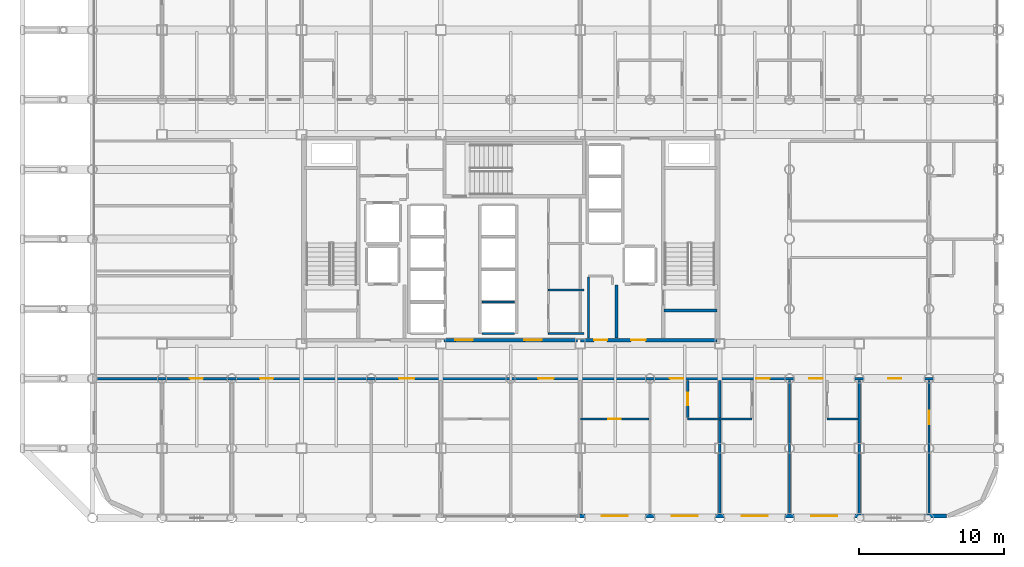
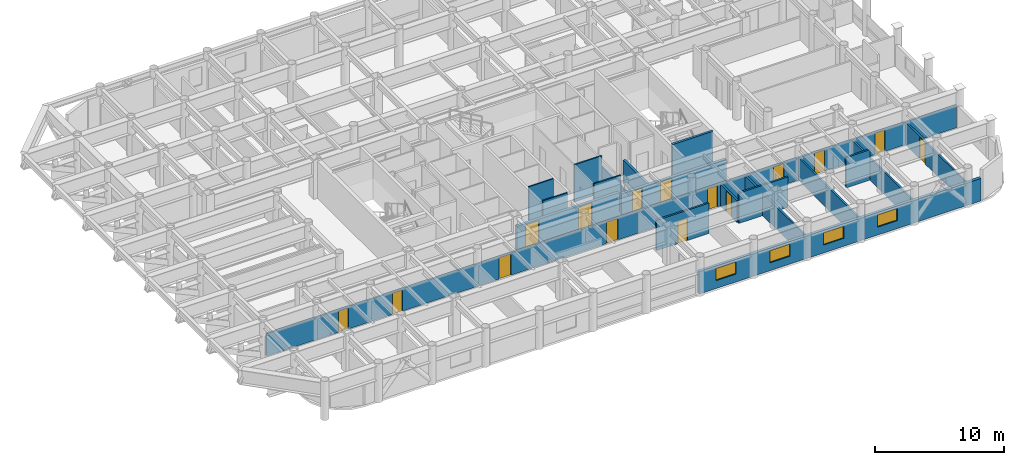
# One storey, part 19 of 23: 19 walls, 15 doors, 4 windows, 19 openings.
"""IFC4 building model written with IfcOpenShell, lengths in metres."""

import ifcopenshell
import ifcopenshell.guid

model = None  # the IFC model being written
_history = None  # IfcOwnerHistory: only IFC2X3 demands one
_inside = {}  # id of a spatial element -> (the spatial element, [elements in it])
_under = {}  # id of a project, library or spatial element -> (it, [spatial elements below it])
_declared = {}  # id of a project -> (the project, [libraries it declares])
_typed = {}  # id of a type object -> (the type object, [elements of that type])
_made_of = {}  # id of a material, layer set ... -> (it, [elements and type objects made of it])


def new_model(schema):
    """Start an empty IFC model of exactly this schema.

    Asked for "IFC4X3", IfcOpenShell would pick the latest addendum, in which some entities
    have other attributes; the version numbers below select the first issue.
    IFC2X3 requires an IfcOwnerHistory on every rooted entity: one is made here for all.
    """
    global model, _history
    if schema == "IFC4X3":
        model = ifcopenshell.file(schema_version=(4, 3, 0, 0))
    else:
        model = ifcopenshell.file(schema=schema)
    _inside.clear()
    _under.clear()
    _declared.clear()
    _typed.clear()
    _made_of.clear()
    _history = None
    if model.schema == "IFC2X3":
        org = make("IfcOrganization", Name="unknown")
        user = make(
            "IfcPersonAndOrganization",
            ThePerson=make("IfcPerson", FamilyName="unknown"),
            TheOrganization=org,
        )
        app = make(
            "IfcApplication",
            ApplicationDeveloper=org,
            Version="unknown",
            ApplicationFullName="unknown",
            ApplicationIdentifier="unknown",
        )
        _history = make(
            "IfcOwnerHistory",
            OwningUser=user,
            OwningApplication=app,
            ChangeAction="ADDED",
            CreationDate=0,
        )
    return model


def make(cls, **values):
    """One entity of the class cls with the attributes given. An attribute that is None is left unset."""
    return model.create_entity(
        cls, **{name: value for name, value in values.items() if value is not None}
    )


def rooted(cls, **values):
    """An entity with a GlobalId (a new one), such as an element, a storey or a relation."""
    return make(cls, GlobalId=ifcopenshell.guid.new(), OwnerHistory=_history, **values)


def si_unit(unit_type, name, prefix=None):
    """IfcSIUnit, for example si_unit("LENGTHUNIT", "METRE", prefix="MILLI")."""
    return make("IfcSIUnit", UnitType=unit_type, Prefix=prefix, Name=name)


def assignment(units):
    """IfcUnitAssignment: the units of a project."""
    return None if units is None else make("IfcUnitAssignment", Units=units)


def point(xyz):
    """IfcCartesianPoint."""
    return None if xyz is None else make("IfcCartesianPoint", Coordinates=xyz)


def direction(xyz):
    """IfcDirection."""
    return None if xyz is None else make("IfcDirection", DirectionRatios=xyz)


def frame(location, z_axis=None, x_axis=None):
    """IfcAxis2Placement3D, a coordinate frame: its origin and axes. An axis left out is left unset."""
    return make(
        "IfcAxis2Placement3D",
        Location=point(location),
        Axis=direction(z_axis),
        RefDirection=direction(x_axis),
    )


def frame_2d(location, x_axis=None):
    """IfcAxis2Placement2D, a coordinate frame in the plane: its origin and x axis."""
    return make(
        "IfcAxis2Placement2D", Location=point(location), RefDirection=direction(x_axis)
    )


def origin():
    """The frame at (0, 0, 0) with its axes left unset."""
    return frame((0.0, 0.0, 0.0))


def place(relative_to, where):
    """IfcLocalPlacement: puts the frame where relative to a parent placement (None: the world)."""
    return make(
        "IfcLocalPlacement", PlacementRelTo=relative_to, RelativePlacement=where
    )


def context(
    kind, dimensions, precision=None, world=None, true_north=None, identifier=None
):
    """IfcGeometricRepresentationContext, for example the 3D "Model" context."""
    return make(
        "IfcGeometricRepresentationContext",
        ContextIdentifier=identifier,
        ContextType=kind,
        CoordinateSpaceDimension=dimensions,
        Precision=precision,
        WorldCoordinateSystem=world,
        TrueNorth=true_north,
    )


def subcontext(parent, identifier, kind, view, scale=None):
    """IfcGeometricRepresentationSubContext, for example "Body" below "Model"."""
    return make(
        "IfcGeometricRepresentationSubContext",
        ContextIdentifier=identifier,
        ContextType=kind,
        ParentContext=parent,
        TargetScale=scale,
        TargetView=view,
    )


def project(units=None, contexts=None):
    """IfcProject with its units and contexts."""
    return rooted(
        "IfcProject",
        Name="project",
        RepresentationContexts=contexts,
        UnitsInContext=assignment(units),
    )


def spatial(cls, under=None, at=None, **own):
    """A site, building, storey or space (cls), placed at a placement, below another one or the project."""
    s = rooted(cls, ObjectPlacement=at, **own)
    if under is not None:
        _under.setdefault(under.id(), (under, []))[1].append(s)
    return s


def profile(cls, at=None, kind="AREA", **sizes):
    """A parametric profile (cls). Its sizes go by their IFC names, for example OverallWidth=200.0."""
    return make(cls, ProfileType=kind, Position=at, **sizes)


def rectangle(**sizes):
    """IfcRectangleProfileDef."""
    return profile("IfcRectangleProfileDef", **sizes)


def extrude(swept, where, along, depth):
    """IfcExtrudedAreaSolid: the profile swept, set in the frame where, extruded along a direction by depth."""
    return make(
        "IfcExtrudedAreaSolid",
        SweptArea=swept,
        Position=where,
        ExtrudedDirection=direction(along),
        Depth=depth,
    )


def shape(context_of_items, identifier, shape_type, items):
    """IfcShapeRepresentation: the items that make up one representation, for example the "Body"."""
    return make(
        "IfcShapeRepresentation",
        ContextOfItems=context_of_items,
        RepresentationIdentifier=identifier,
        RepresentationType=shape_type,
        Items=items,
    )


def material(Name=None, Category=None):
    """IfcMaterial."""
    return make("IfcMaterial", Name=Name, Category=Category)


def layer(
    of_material, thickness, ventilated=None, Name=None, Category=None, Priority=None
):
    """IfcMaterialLayer: one layer of a wall or slab, of a material (None: an air gap)."""
    return make(
        "IfcMaterialLayer",
        Material=of_material,
        LayerThickness=thickness,
        IsVentilated=ventilated,
        Name=Name,
        Category=Category,
        Priority=Priority,
    )


def layer_set(layers, Name=None):
    """IfcMaterialLayerSet."""
    return make("IfcMaterialLayerSet", MaterialLayers=layers, LayerSetName=Name)


def made_of(thing, what):
    """Note that an element or type object is made of a material, layer set ...; save() writes the relation."""
    if what is not None:
        _made_of.setdefault(what.id(), (what, []))[1].append(thing)
    return thing


def type_object(cls, material=None, **own):
    """A type object (cls), such as IfcWallType, which elements share."""
    return made_of(rooted(cls, **own), material)


def element(
    cls,
    number,
    at=None,
    inside=None,
    cuts=None,
    type_object=None,
    material=None,
    context=None,
    identifier="Body",
    shape_type=None,
    held_by="IfcProductDefinitionShape",
    body=None,
    shapes=None,
    **own,
):
    """One element of the class cls, such as IfcWall. Its Tag is "e" and its number.

    at: its placement. inside: the storey or other place that contains it. cuts: it is an
    opening in that element (IfcRelVoidsElement). A single representation is given by context,
    identifier, shape_type and body (its items); several are given by shapes. held_by: the class
    of the entity that holds the representations. save() writes the other relations.
    """
    e = rooted(cls, Tag="e%d" % number, ObjectPlacement=at, **own)
    if body is not None:
        shapes = [shape(context, identifier, shape_type, body)]
    if shapes is not None:
        e.Representation = make(held_by, Representations=shapes)
    if inside is not None:
        _inside.setdefault(inside.id(), (inside, []))[1].append(e)
    if cuts is not None:
        rooted(
            "IfcRelVoidsElement", RelatingBuildingElement=cuts, RelatedOpeningElement=e
        )
    if type_object is not None:
        _typed.setdefault(type_object.id(), (type_object, []))[1].append(e)
    return made_of(e, material)


def fill(opening, filler):
    """IfcRelFillsElement: the door or window that sits in an opening."""
    return rooted(
        "IfcRelFillsElement",
        RelatingOpeningElement=opening,
        RelatedBuildingElement=filler,
    )


def aggregate(whole, parts):
    """IfcRelAggregates: a whole, such as a stair, and the parts it consists of."""
    return rooted("IfcRelAggregates", RelatingObject=whole, RelatedObjects=parts)


def save(model, path):
    """Write the relations noted so far, then the file.

    IfcRelAggregates (storeys below a building ...), IfcRelContainedInSpatialStructure (elements
    in a storey), IfcRelDefinesByType, IfcRelAssociatesMaterial and IfcRelDeclares: one each for
    every whole, place, type object, material and project.
    """
    for whole, parts in _under.values():
        aggregate(whole, parts)
    for where, things in _inside.values():
        rooted(
            "IfcRelContainedInSpatialStructure",
            RelatedElements=things,
            RelatingStructure=where,
        )
    for kind, things in _typed.values():
        rooted("IfcRelDefinesByType", RelatedObjects=things, RelatingType=kind)
    for what, things in _made_of.values():
        rooted("IfcRelAssociatesMaterial", RelatedObjects=things, RelatingMaterial=what)
    for by, libraries in _declared.values():
        rooted("IfcRelDeclares", RelatingContext=by, RelatedDefinitions=libraries)
    model.write(path)


model = new_model("IFC4")

# Units and contexts
model_context = context("Model", 3, precision=1e-05, world=origin(), true_north=direction((0.0, 1.0)))
body_context = subcontext(model_context, "Body", "Model", "MODEL_VIEW")
ifc_project = project(units=[si_unit("LENGTHUNIT", "METRE"), si_unit("AREAUNIT", "SQUARE_METRE"), si_unit("VOLUMEUNIT", "CUBIC_METRE"), si_unit("PLANEANGLEUNIT", "RADIAN"), si_unit("MASSUNIT", "GRAM", prefix="KILO")], contexts=[model_context])

# Site, building, storey
site_placement = place(None, origin())
site = spatial("IfcSite", under=ifc_project, at=site_placement, CompositionType="ELEMENT")
building_placement = place(site_placement, origin())
building = spatial("IfcBuilding", under=site, at=building_placement, Name="Kallvorn Hotel Tower", CompositionType="ELEMENT")
storey_placement = place(building_placement, frame((0.0, 0.0, 121.10009765625)))
storey = spatial("IfcBuildingStorey", under=building, at=storey_placement, Name="L29", CompositionType="ELEMENT", Elevation=121.10009765625)

# Wall, opening, door
ifc_material_1 = material(Name="Fire-rated double-layer acoustic gypsum drywall EI 60")
ifc_layer_1 = layer(ifc_material_1, 0.159912109375)
ifc_layer_set_1 = layer_set([ifc_layer_1], Name="WL_DEMISE_160")
wall_type_1 = type_object("IfcWallType", Name="WL_DEMISE_160", PredefinedType="PARTITIONING", material=ifc_layer_set_1)
wall_1_placement = place(storey_placement, frame((4.800048828125, -12.3798828125, 0.0), z_axis=(0.0, 0.0, 1.0), x_axis=(1.0, 0.0, 0.0)))
wall_1 = element("IfcWall", 1, at=wall_1_placement, inside=storey, type_object=wall_type_1, Name="L29 Suite 2904 Executive Bedroom Partition", PredefinedType="PARTITIONING", context=body_context, shape_type="SweptSolid", body=[
    extrude(rectangle(XDim=4.719970703125, YDim=0.159912109375, at=frame_2d((2.35986328125, 0.0))), origin(), (0.0, 0.0, 1.0), 2.869873046875),
])
opening_1_placement = place(wall_1_placement, frame((1.929931640625, 0.0, 0.0)))
opening_1 = element("IfcOpeningElement", 2, at=opening_1_placement, cuts=wall_1, Name="Opening BD-I", PredefinedType="OPENING", context=body_context, shape_type="SweptSolid", body=[
    extrude(rectangle(XDim=0.860107421875, YDim=2.10009765625, at=frame_2d((0.43017578125, 1.050048828125))), frame((0.0, 0.094970703125, 0.0), z_axis=(0.0, -1.0, 0.0), x_axis=(1.0, 0.0, 0.0)), (0.0, 0.0, 1.0), 0.18994140625),
])
ifc_material_2 = material(Name="Solid-core walnut veneer fire-rated timber door leaf", Category="wood")
door_type_1 = type_object("IfcDoorType", Name="DR_BATH_860x2100", OperationType="NOTDEFINED", PredefinedType="DOOR", material=ifc_material_2)
door_1_placement = place(opening_1_placement, origin())
door_1 = element("IfcDoor", 3, at=door_1_placement, inside=storey, type_object=door_type_1, Name="L29 Suite 2904 En-Suite Bathroom Door", OperationType="SINGLE_SWING_LEFT", OverallHeight=2.10009765625, OverallWidth=0.860107421875, PredefinedType="DOOR", context=body_context, shape_type="SweptSolid", body=[
    extrude(rectangle(XDim=0.860107421875, YDim=2.10009765625, at=frame_2d((0.43017578125, 1.050048828125))), frame((0.0, 0.02490234375, 0.0), z_axis=(0.0, -1.0, 0.0), x_axis=(1.0, 0.0, 0.0)), (0.0, 0.0, 1.0), 0.050048828125),
])
fill(opening_1, door_1)

# Walls
wall_2_placement = place(storey_placement, frame((12.18994140625, -12.3798828125, 0.0), z_axis=(0.0, 0.0, 1.0), x_axis=(1.0, 0.0, 0.0)))
element("IfcWall", 4, at=wall_2_placement, inside=storey, type_object=wall_type_1, Name="L29 Suite 2905 Deluxe King Room Partition", PredefinedType="PARTITIONING", context=body_context, shape_type="SweptSolid", body=[
    extrude(rectangle(XDim=4.420166015625, YDim=0.159912109375, at=frame_2d((2.2099609375, 0.0))), origin(), (0.0, 0.0, 1.0), 2.869873046875),
])
wall_3_placement = place(storey_placement, frame((21.7900390625, -12.3798828125, 0.0), z_axis=(0.0, 0.0, 1.0), x_axis=(1.0, 0.0, 0.0)))
element("IfcWall", 5, at=wall_3_placement, inside=storey, type_object=wall_type_1, Name="L29 Suite 2907 Deluxe King Room Partition", PredefinedType="PARTITIONING", context=body_context, shape_type="SweptSolid", body=[
    extrude(rectangle(XDim=2.1298828125, YDim=0.159912109375, at=frame_2d((1.06494140625, 0.0))), origin(), (0.0, 0.0, 1.0), 2.869873046875),
])

# Wall, openings, doors
wall_4_placement = place(storey_placement, frame((-28.510009765625, -9.60009765625, 0.0), z_axis=(0.0, 0.0, 1.0), x_axis=(1.0, 0.0, 0.0)))
wall_4 = element("IfcWall", 6, at=wall_4_placement, inside=storey, type_object=wall_type_1, Name="L29 Suite 2903 Executive Living Salon Partition", PredefinedType="PARTITIONING", context=body_context, shape_type="SweptSolid", body=[
    extrude(rectangle(XDim=61.820068359375, YDim=0.159912109375, at=frame_2d((30.91015625, 0.0))), origin(), (0.0, 0.0, 1.0), 2.119873046875),
])
opening_2_placement = place(wall_4_placement, frame((6.419921875, 0.0, 0.0)))
opening_2 = element("IfcOpeningElement", 7, at=opening_2_placement, cuts=wall_4, Name="Opening SVD1A", PredefinedType="OPENING", context=body_context, shape_type="SweptSolid", body=[
    extrude(rectangle(XDim=0.89990234375, YDim=2.02001953125, at=frame_2d((0.449951171875, 1.010009765625))), frame((0.0, 0.094970703125, 0.0), z_axis=(0.0, -1.0, 0.0), x_axis=(1.0, 0.0, 0.0)), (0.0, 0.0, 1.0), 0.18994140625),
])
opening_3_placement = place(wall_4_placement, frame((54.5, 0.0, 0.0)))
opening_3 = element("IfcOpeningElement", 8, at=opening_3_placement, cuts=wall_4, Name="Opening SVD1A", PredefinedType="OPENING", context=body_context, shape_type="SweptSolid", body=[
    extrude(rectangle(XDim=0.89990234375, YDim=2.02001953125, at=frame_2d((0.449951171875, 1.010009765625))), frame((0.0, 0.094970703125, 0.0), z_axis=(0.0, -1.0, 0.0), x_axis=(1.0, 0.0, 0.0)), (0.0, 0.0, 1.0), 0.18994140625),
])
opening_4_placement = place(wall_4_placement, frame((11.260009765625, 0.0, 0.0)))
opening_4 = element("IfcOpeningElement", 9, at=opening_4_placement, cuts=wall_4, Name="Opening SVD1A", PredefinedType="OPENING", context=body_context, shape_type="SweptSolid", body=[
    extrude(rectangle(XDim=0.89990234375, YDim=2.02001953125, at=frame_2d((0.449951171875, 1.010009765625))), frame((0.0, 0.094970703125, 0.0), z_axis=(0.0, -1.0, 0.0), x_axis=(1.0, 0.0, 0.0)), (0.0, 0.0, 1.0), 0.18994140625),
])
opening_5_placement = place(wall_4_placement, frame((20.824951171875, 0.0, 0.0)))
opening_5 = element("IfcOpeningElement", 10, at=opening_5_placement, cuts=wall_4, Name="Opening GD2A", PredefinedType="OPENING", context=body_context, shape_type="SweptSolid", body=[
    extrude(rectangle(XDim=1.050048828125, YDim=2.02001953125, at=frame_2d((0.52490234375, 1.010009765625))), frame((0.0, 0.094970703125, 0.0), z_axis=(0.0, -1.0, 0.0), x_axis=(1.0, 0.0, 0.0)), (0.0, 0.0, 1.0), 0.18994140625),
])
opening_6_placement = place(wall_4_placement, frame((30.425048828125, 0.0, 0.0)))
opening_6 = element("IfcOpeningElement", 11, at=opening_6_placement, cuts=wall_4, Name="Opening GD2A", PredefinedType="OPENING", context=body_context, shape_type="SweptSolid", body=[
    extrude(rectangle(XDim=1.050048828125, YDim=2.02001953125, at=frame_2d((0.52490234375, 1.010009765625))), frame((0.0, 0.094970703125, 0.0), z_axis=(0.0, -1.0, 0.0), x_axis=(1.0, 0.0, 0.0)), (0.0, 0.0, 1.0), 0.18994140625),
])
opening_7_placement = place(wall_4_placement, frame((39.47998046875, 0.0, 0.0)))
opening_7 = element("IfcOpeningElement", 12, at=opening_7_placement, cuts=wall_4, Name="Opening GD1A", PredefinedType="OPENING", context=body_context, shape_type="SweptSolid", body=[
    extrude(rectangle(XDim=0.919921875, YDim=2.02001953125, at=frame_2d((0.4599609375, 1.010009765625))), frame((0.0, 0.094970703125, 0.0), z_axis=(0.0, -1.0, 0.0), x_axis=(1.0, 0.0, 0.0)), (0.0, 0.0, 1.0), 0.18994140625),
])
opening_8_placement = place(wall_4_placement, frame((45.419921875, 0.0, 0.0)))
opening_8 = element("IfcOpeningElement", 13, at=opening_8_placement, cuts=wall_4, Name="Opening GD1A", PredefinedType="OPENING", context=body_context, shape_type="SweptSolid", body=[
    extrude(rectangle(XDim=0.919921875, YDim=2.02001953125, at=frame_2d((0.4599609375, 1.010009765625))), frame((0.0, 0.094970703125, 0.0), z_axis=(0.0, -1.0, 0.0), x_axis=(1.0, 0.0, 0.0)), (0.0, 0.0, 1.0), 0.18994140625),
])
opening_9_placement = place(wall_4_placement, frame((49.080078125, 0.0, 0.0)))
opening_9 = element("IfcOpeningElement", 14, at=opening_9_placement, cuts=wall_4, Name="Opening GD1A", PredefinedType="OPENING", context=body_context, shape_type="SweptSolid", body=[
    extrude(rectangle(XDim=0.919921875, YDim=2.02001953125, at=frame_2d((0.4599609375, 1.010009765625))), frame((0.0, 0.094970703125, 0.0), z_axis=(0.0, -1.0, 0.0), x_axis=(1.0, 0.0, 0.0)), (0.0, 0.0, 1.0), 0.18994140625),
])
ifc_material_3 = material(Name="Solid-core walnut veneer fire-rated timber door leaf", Category="wood")
door_type_2 = type_object("IfcDoorType", Name="DR_GUEST_920x2020", OperationType="NOTDEFINED", PredefinedType="DOOR", material=ifc_material_3)
door_2_placement = place(opening_7_placement, origin())
door_2 = element("IfcDoor", 15, at=door_2_placement, inside=storey, type_object=door_type_2, Name="L29 Suite 2905 Deluxe King Room Door", OperationType="SINGLE_SWING_RIGHT", OverallHeight=2.02001953125, OverallWidth=0.919921875, PredefinedType="DOOR", context=body_context, shape_type="SweptSolid", body=[
    extrude(rectangle(XDim=0.919921875, YDim=2.02001953125, at=frame_2d((0.4599609375, 1.010009765625))), frame((0.0, 0.02490234375, 0.0), z_axis=(0.0, -1.0, 0.0), x_axis=(1.0, 0.0, 0.0)), (0.0, 0.0, 1.0), 0.050048828125),
])
fill(opening_7, door_2)
door_3_placement = place(opening_8_placement, origin())
door_3 = element("IfcDoor", 16, at=door_3_placement, inside=storey, type_object=door_type_2, Name="L29 Suite 2906 Deluxe King Room Door", OperationType="SINGLE_SWING_RIGHT", OverallHeight=2.02001953125, OverallWidth=0.919921875, PredefinedType="DOOR", context=body_context, shape_type="SweptSolid", body=[
    extrude(rectangle(XDim=0.919921875, YDim=2.02001953125, at=frame_2d((0.4599609375, 1.010009765625))), frame((0.0, 0.02490234375, 0.0), z_axis=(0.0, -1.0, 0.0), x_axis=(1.0, 0.0, 0.0)), (0.0, 0.0, 1.0), 0.050048828125),
])
fill(opening_8, door_3)
door_4_placement = place(opening_9_placement, origin())
door_4 = element("IfcDoor", 17, at=door_4_placement, inside=storey, type_object=door_type_2, Name="L29 Suite 2907 Deluxe King Room Door", OperationType="SINGLE_SWING_LEFT", OverallHeight=2.02001953125, OverallWidth=0.919921875, PredefinedType="DOOR", context=body_context, shape_type="SweptSolid", body=[
    extrude(rectangle(XDim=0.919921875, YDim=2.02001953125, at=frame_2d((0.4599609375, 1.010009765625))), frame((0.0, 0.02490234375, 0.0), z_axis=(0.0, -1.0, 0.0), x_axis=(1.0, 0.0, 0.0)), (0.0, 0.0, 1.0), 0.050048828125),
])
fill(opening_9, door_4)
ifc_material_4 = material(Name="Galvanised painted steel fire-rated door assembly", Category="steel")
door_type_3 = type_object("IfcDoorType", Name="DR_SERV_900x2020", OperationType="NOTDEFINED", PredefinedType="DOOR", material=ifc_material_4)
door_5_placement = place(opening_2_placement, origin())
door_5 = element("IfcDoor", 18, at=door_5_placement, inside=storey, type_object=door_type_3, Name="L29 L29 South-West Botanical Bar B Door", OperationType="SINGLE_SWING_RIGHT", OverallHeight=2.02001953125, OverallWidth=0.89990234375, PredefinedType="DOOR", context=body_context, shape_type="SweptSolid", body=[
    extrude(rectangle(XDim=0.89990234375, YDim=2.02001953125, at=frame_2d((0.449951171875, 1.010009765625))), frame((0.0, 0.02490234375, 0.0), z_axis=(0.0, -1.0, 0.0), x_axis=(1.0, 0.0, 0.0)), (0.0, 0.0, 1.0), 0.050048828125),
])
fill(opening_2, door_5)
door_6_placement = place(opening_3_placement, origin())
door_6 = element("IfcDoor", 19, at=door_6_placement, inside=storey, type_object=door_type_3, Name="L29 L29 South-East Sommelier Bar A Door", OperationType="SINGLE_SWING_RIGHT", OverallHeight=2.02001953125, OverallWidth=0.89990234375, PredefinedType="DOOR", context=body_context, shape_type="SweptSolid", body=[
    extrude(rectangle(XDim=0.89990234375, YDim=2.02001953125, at=frame_2d((0.449951171875, 1.010009765625))), frame((0.0, 0.02490234375, 0.0), z_axis=(0.0, -1.0, 0.0), x_axis=(1.0, 0.0, 0.0)), (0.0, 0.0, 1.0), 0.050048828125),
])
fill(opening_3, door_6)
door_7_placement = place(opening_4_placement, origin())
door_7 = element("IfcDoor", 20, at=door_7_placement, inside=storey, type_object=door_type_3, Name="L29 L29 Cordillera Botanical Tea Salon 1 Door", OperationType="SINGLE_SWING_LEFT", OverallHeight=2.02001953125, OverallWidth=0.89990234375, PredefinedType="DOOR", context=body_context, shape_type="SweptSolid", body=[
    extrude(rectangle(XDim=0.89990234375, YDim=2.02001953125, at=frame_2d((0.449951171875, 1.010009765625))), frame((0.0, 0.02490234375, 0.0), z_axis=(0.0, -1.0, 0.0), x_axis=(1.0, 0.0, 0.0)), (0.0, 0.0, 1.0), 0.050048828125),
])
fill(opening_4, door_7)
ifc_material_5 = material(Name="Solid-core walnut veneer fire-rated timber door leaf", Category="wood")
door_type_4 = type_object("IfcDoorType", Name="DR_SUITE_1050x2020", OperationType="NOTDEFINED", PredefinedType="DOOR", material=ifc_material_5)
door_8_placement = place(opening_5_placement, origin())
door_8 = element("IfcDoor", 21, at=door_8_placement, inside=storey, type_object=door_type_4, Name="L29 Suite 2903 Executive Living Salon Door", OperationType="SINGLE_SWING_RIGHT", OverallHeight=2.02001953125, OverallWidth=1.050048828125, PredefinedType="DOOR", context=body_context, shape_type="SweptSolid", body=[
    extrude(rectangle(XDim=1.050048828125, YDim=2.02001953125, at=frame_2d((0.52490234375, 1.010009765625))), frame((0.0, 0.02490234375, 0.0), z_axis=(0.0, -1.0, 0.0), x_axis=(1.0, 0.0, 0.0)), (0.0, 0.0, 1.0), 0.050048828125),
])
fill(opening_5, door_8)
door_9_placement = place(opening_6_placement, origin())
door_9 = element("IfcDoor", 22, at=door_9_placement, inside=storey, type_object=door_type_4, Name="L29 Suite 2904 Executive Living Salon Door", OperationType="SINGLE_SWING_RIGHT", OverallHeight=2.02001953125, OverallWidth=1.050048828125, PredefinedType="DOOR", context=body_context, shape_type="SweptSolid", body=[
    extrude(rectangle(XDim=1.050048828125, YDim=2.02001953125, at=frame_2d((0.52490234375, 1.010009765625))), frame((0.0, 0.02490234375, 0.0), z_axis=(0.0, -1.0, 0.0), x_axis=(1.0, 0.0, 0.0)), (0.0, 0.0, 1.0), 0.050048828125),
])
fill(opening_6, door_9)

# Wall, opening, door
wall_5_placement = place(storey_placement, frame((12.18994140625, -12.294921875, 0.0), z_axis=(0.0, 0.0, 1.0), x_axis=(0.0, 1.0, 0.0)))
wall_5 = element("IfcWall", 23, at=wall_5_placement, inside=storey, type_object=wall_type_1, Name="L29 Suite 2905 Deluxe King Room Partition", PredefinedType="PARTITIONING", context=body_context, shape_type="SweptSolid", body=[
    extrude(rectangle(XDim=2.574951171875, YDim=0.159912109375, at=frame_2d((1.28759765625, 0.0))), origin(), (0.0, 0.0, 1.0), 2.119873046875),
])
opening_10_placement = place(wall_5_placement, frame((0.844970703125, 0.0, 0.0)))
opening_10 = element("IfcOpeningElement", 24, at=opening_10_placement, cuts=wall_5, Name="Opening BD-IA", PredefinedType="OPENING", context=body_context, shape_type="SweptSolid", body=[
    extrude(rectangle(XDim=0.860107421875, YDim=2.02001953125, at=frame_2d((0.43017578125, 1.010009765625))), frame((0.0, 0.094970703125, 0.0), z_axis=(0.0, -1.0, 0.0), x_axis=(1.0, 0.0, 0.0)), (0.0, 0.0, 1.0), 0.18994140625),
])
ifc_material_6 = material(Name="Solid-core walnut veneer fire-rated timber door leaf", Category="wood")
door_type_5 = type_object("IfcDoorType", Name="DR_BATH_860x2020", OperationType="NOTDEFINED", PredefinedType="DOOR", material=ifc_material_6)
door_10_placement = place(opening_10_placement, origin())
door_10 = element("IfcDoor", 25, at=door_10_placement, inside=storey, type_object=door_type_5, Name="L29 Suite 2905 En-Suite Bathroom Door", OperationType="SINGLE_SWING_LEFT", OverallHeight=2.02001953125, OverallWidth=0.860107421875, PredefinedType="DOOR", context=body_context, shape_type="SweptSolid", body=[
    extrude(rectangle(XDim=0.860107421875, YDim=2.02001953125, at=frame_2d((0.43017578125, 1.010009765625))), frame((0.0, 0.02490234375, 0.0), z_axis=(0.0, -1.0, 0.0), x_axis=(1.0, 0.0, 0.0)), (0.0, 0.0, 1.0), 0.050048828125),
])
fill(opening_10, door_10)

# Walls
for number, where, z_axis, x_axis, name in (
    (26, (14.39990234375, -18.909912109375, 0.0), (0.0, 0.0, 1.0), (0.0, 1.0, 0.0), "L29 Suite 2905 Deluxe King Room Partition"),
    (27, (19.199951171875, -18.909912109375, 0.0), (0.0, 0.0, 1.0), (0.0, 1.0, 0.0), "L29 Suite 2906 Deluxe King Room Partition"),
    (28, (24.0, -18.909912109375, 0.0), (0.0, 0.0, 1.0), (0.0, 1.0, 0.0), "L29 Suite 2907 Deluxe King Room Partition"),
):
    element("IfcWall", number, at=place(storey_placement, frame(where, z_axis=z_axis, x_axis=x_axis)), inside=storey, type_object=wall_type_1, Name=name, PredefinedType="PARTITIONING", context=body_context, shape_type="SweptSolid", body=[
        extrude(rectangle(XDim=9.18994140625, YDim=0.159912109375, at=frame_2d((4.594970703125, 0.0))), origin(), (0.0, 0.0, 1.0), 2.119873046875),
    ])

# Wall, openings, windows
ifc_material_7 = material(Name="Precast basalt-clad insulated concrete wall C40/50", Category="masonry")
ifc_layer_2 = layer(ifc_material_7, 0.280029296875)
ifc_layer_set_2 = layer_set([ifc_layer_2], Name="WL_EXT_LOGGIA_280")
wall_type_2 = type_object("IfcWallType", Name="WL_EXT_LOGGIA_280", PredefinedType="SOLIDWALL", material=ifc_layer_set_2)
wall_6_placement = place(storey_placement, frame((4.75, -19.06005859375, 0.0), z_axis=(0.0, 0.0, 1.0), x_axis=(1.0, 0.0, 0.0)))
wall_6 = element("IfcWall", 29, at=wall_6_placement, inside=storey, type_object=wall_type_2, Name="L29 Exterior Envelope Wall EW-L29-SE", PredefinedType="SOLIDWALL", context=body_context, shape_type="SweptSolid", body=[
    extrude(rectangle(XDim=25.25, YDim=0.280029296875, at=frame_2d((12.625, 0.0))), origin(), (0.0, 0.0, 1.0), 2.119873046875),
])
opening_11_placement = place(wall_6_placement, frame((1.510009765625, 0.0, 0.75)))
opening_11 = element("IfcOpeningElement", 30, at=opening_11_placement, cuts=wall_6, Name="Opening W04A", PredefinedType="OPENING", context=body_context, shape_type="SweptSolid", body=[
    extrude(rectangle(XDim=1.800048828125, YDim=1.14990234375, at=frame_2d((0.89990234375, 0.574951171875))), frame((0.0, 0.155029296875, 0.0), z_axis=(0.0, -1.0, 0.0), x_axis=(1.0, 0.0, 0.0)), (0.0, 0.0, 1.0), 0.31005859375),
])
opening_12_placement = place(wall_6_placement, frame((6.35009765625, 0.0, 0.75)))
opening_12 = element("IfcOpeningElement", 31, at=opening_12_placement, cuts=wall_6, Name="Opening W04A", PredefinedType="OPENING", context=body_context, shape_type="SweptSolid", body=[
    extrude(rectangle(XDim=1.800048828125, YDim=1.14990234375, at=frame_2d((0.89990234375, 0.574951171875))), frame((0.0, 0.155029296875, 0.0), z_axis=(0.0, -1.0, 0.0), x_axis=(1.0, 0.0, 0.0)), (0.0, 0.0, 1.0), 0.31005859375),
])
opening_13_placement = place(wall_6_placement, frame((11.14990234375, 0.0, 0.75)))
opening_13 = element("IfcOpeningElement", 32, at=opening_13_placement, cuts=wall_6, Name="Opening W04A", PredefinedType="OPENING", context=body_context, shape_type="SweptSolid", body=[
    extrude(rectangle(XDim=1.800048828125, YDim=1.14990234375, at=frame_2d((0.89990234375, 0.574951171875))), frame((0.0, 0.155029296875, 0.0), z_axis=(0.0, -1.0, 0.0), x_axis=(1.0, 0.0, 0.0)), (0.0, 0.0, 1.0), 0.31005859375),
])
opening_14_placement = place(wall_6_placement, frame((15.949951171875, 0.0, 0.75)))
opening_14 = element("IfcOpeningElement", 33, at=opening_14_placement, cuts=wall_6, Name="Opening W04A", PredefinedType="OPENING", context=body_context, shape_type="SweptSolid", body=[
    extrude(rectangle(XDim=1.800048828125, YDim=1.14990234375, at=frame_2d((0.89990234375, 0.574951171875))), frame((0.0, 0.155029296875, 0.0), z_axis=(0.0, -1.0, 0.0), x_axis=(1.0, 0.0, 0.0)), (0.0, 0.0, 1.0), 0.31005859375),
])
ifc_material_8 = material(Name="Double-glazed low-e solar-control dark glass", Category="glass")
window_type = type_object("IfcWindowType", Name="WN_HTL_1800x1150", PartitioningType="SINGLE_PANEL", PredefinedType="WINDOW", material=ifc_material_8)
window_1_placement = place(opening_11_placement, origin())
window_1 = element("IfcWindow", 34, at=window_1_placement, inside=storey, type_object=window_type, Name="L29 Guestroom Exterior Window 06", OverallHeight=1.14990234375, OverallWidth=1.800048828125, PartitioningType="SINGLE_PANEL", PredefinedType="WINDOW", context=body_context, shape_type="SweptSolid", body=[
    extrude(rectangle(XDim=1.800048828125, YDim=1.14990234375, at=frame_2d((0.89990234375, 0.574951171875))), frame((0.0, 0.030029296875, 0.0), z_axis=(0.0, -1.0, 0.0), x_axis=(1.0, 0.0, 0.0)), (0.0, 0.0, 1.0), 0.06005859375),
])
fill(opening_11, window_1)
window_2_placement = place(opening_12_placement, origin())
window_2 = element("IfcWindow", 35, at=window_2_placement, inside=storey, type_object=window_type, Name="L29 Guestroom Exterior Window 07", OverallHeight=1.14990234375, OverallWidth=1.800048828125, PartitioningType="SINGLE_PANEL", PredefinedType="WINDOW", context=body_context, shape_type="SweptSolid", body=[
    extrude(rectangle(XDim=1.800048828125, YDim=1.14990234375, at=frame_2d((0.89990234375, 0.574951171875))), frame((0.0, 0.030029296875, 0.0), z_axis=(0.0, -1.0, 0.0), x_axis=(1.0, 0.0, 0.0)), (0.0, 0.0, 1.0), 0.06005859375),
])
fill(opening_12, window_2)
window_3_placement = place(opening_13_placement, origin())
window_3 = element("IfcWindow", 36, at=window_3_placement, inside=storey, type_object=window_type, Name="L29 Guestroom Exterior Window 08", OverallHeight=1.14990234375, OverallWidth=1.800048828125, PartitioningType="SINGLE_PANEL", PredefinedType="WINDOW", context=body_context, shape_type="SweptSolid", body=[
    extrude(rectangle(XDim=1.800048828125, YDim=1.14990234375, at=frame_2d((0.89990234375, 0.574951171875))), frame((0.0, 0.030029296875, 0.0), z_axis=(0.0, -1.0, 0.0), x_axis=(1.0, 0.0, 0.0)), (0.0, 0.0, 1.0), 0.06005859375),
])
fill(opening_13, window_3)
window_4_placement = place(opening_14_placement, origin())
window_4 = element("IfcWindow", 37, at=window_4_placement, inside=storey, type_object=window_type, Name="L29 Guestroom Exterior Window 09", OverallHeight=1.14990234375, OverallWidth=1.800048828125, PartitioningType="SINGLE_PANEL", PredefinedType="WINDOW", context=body_context, shape_type="SweptSolid", body=[
    extrude(rectangle(XDim=1.800048828125, YDim=1.14990234375, at=frame_2d((0.89990234375, 0.574951171875))), frame((0.0, 0.030029296875, 0.0), z_axis=(0.0, -1.0, 0.0), x_axis=(1.0, 0.0, 0.0)), (0.0, 0.0, 1.0), 0.06005859375),
])
fill(opening_14, window_4)

# Walls
ifc_material_9 = material(Name="Concrete C40/50", Category="concrete")
ifc_layer_3 = layer(ifc_material_9, 0.219970703125)
ifc_layer_set_3 = layer_set([ifc_layer_3], Name="WL_FFL_220")
wall_type_3 = type_object("IfcWallType", Name="WL_FFL_220", PredefinedType="SOLIDWALL", material=ifc_layer_set_3)
wall_7_placement = place(storey_placement, frame((7.300048828125, -6.820068359375, 0.0), z_axis=(0.0, 0.0, 1.0), x_axis=(0.0, 1.0, 0.0)))
element("IfcWall", 38, at=wall_7_placement, inside=storey, type_object=wall_type_3, Name="L29 Firefighting Lobby East Divider Wall", PredefinedType="SOLIDWALL", context=body_context, shape_type="SweptSolid", body=[
    extrude(rectangle(XDim=3.670166015625, YDim=0.219970703125, at=frame_2d((1.8349609375, 0.0))), origin(), (0.0, 0.0, 1.0), 2.119873046875),
])
ifc_material_10 = material(Name="Concrete C40/50", Category="concrete")
ifc_layer_4 = layer(ifc_material_10, 0.199951171875)
ifc_layer_set_4 = layer_set([ifc_layer_4], Name="WL_HOIST_200")
wall_type_4 = type_object("IfcWallType", Name="WL_HOIST_200", PredefinedType="SOLIDWALL", material=ifc_layer_set_4)
wall_8_placement = place(storey_placement, frame((10.550048828125, -4.89990234375, -0.18017578125), z_axis=(0.0, 0.0, 1.0), x_axis=(1.0, 0.0, 0.0)))
element("IfcWall", 39, at=wall_8_placement, inside=storey, type_object=wall_type_4, Name="L29 Stair ST2 South Wall", PredefinedType="SOLIDWALL", context=body_context, shape_type="SweptSolid", body=[
    extrude(rectangle(XDim=3.64990234375, YDim=0.199951171875, at=frame_2d((1.824951171875, 0.0))), origin(), (0.0, 0.0, 1.0), 3.7001953125),
])
ifc_material_11 = material(Name="Fire-rated double-layer acoustic gypsum drywall EI 60")
ifc_layer_5 = layer(ifc_material_11, 0.1201171875)
ifc_layer_set_5 = layer_set([ifc_layer_5], Name="WL_INT_120")
wall_type_5 = type_object("IfcWallType", Name="WL_INT_120", PredefinedType="PARTITIONING", material=ifc_layer_set_5)
for number, where, z_axis, x_axis, name in (
    (40, (-1.9599609375, -6.5, 0.0), (0.0, 0.0, 1.0), (1.0, 0.0, 0.0), "L29 Lift Bank B2 South Closure Wall"),
    (41, (-1.9599609375, -4.324951171875, 0.0), (0.0, 0.0, 1.0), (1.0, 0.0, 0.0), "L29 PL-05 Hoistway Divider"),
):
    element("IfcWall", number, at=place(storey_placement, frame(where, z_axis=z_axis, x_axis=x_axis)), inside=storey, type_object=wall_type_5, Name=name, PredefinedType="PARTITIONING", context=body_context, shape_type="SweptSolid", body=[
        extrude(rectangle(XDim=2.219970703125, YDim=0.1201171875, at=frame_2d((1.10986328125, 0.0))), origin(), (0.0, 0.0, 1.0), 3.52001953125),
    ])
for number, where, z_axis, x_axis, name in (
    (42, (2.60009765625, -6.5, 0.0), (0.0, 0.0, 1.0), (1.0, 0.0, 0.0), "L29 East Core Minibar Store Partition"),
    (43, (2.60009765625, -3.5, 0.0), (0.0, 0.0, 1.0), (1.0, 0.0, 0.0), "L29 East Core Housekeeping Supply Closet Partition"),
):
    element("IfcWall", number, at=place(storey_placement, frame(where, z_axis=z_axis, x_axis=x_axis)), inside=storey, type_object=wall_type_5, Name=name, PredefinedType="PARTITIONING", context=body_context, shape_type="SweptSolid", body=[
        extrude(rectangle(XDim=2.449951171875, YDim=0.1201171875, at=frame_2d((1.22509765625, 0.0))), origin(), (0.0, 0.0, 1.0), 3.52001953125),
    ])

# Wall, opening, door
ifc_material_12 = material(Name="Fire-rated double-layer acoustic gypsum drywall EI 60")
ifc_layer_6 = layer(ifc_material_12, 0.14990234375)
ifc_layer_set_6 = layer_set([ifc_layer_6], Name="WL_PART_150")
wall_type_6 = type_object("IfcWallType", Name="WL_PART_150", PredefinedType="PARTITIONING", material=ifc_layer_set_6)
wall_9_placement = place(storey_placement, frame((28.800048828125, -18.909912109375, 0.0), z_axis=(0.0, 0.0, 1.0), x_axis=(0.0, 1.0, 0.0)))
wall_9 = element("IfcWall", 44, at=wall_9_placement, inside=storey, type_object=wall_type_6, Name="L29 L29 South-East Sommelier Bar A Partition", PredefinedType="PARTITIONING", context=body_context, shape_type="SweptSolid", body=[
    extrude(rectangle(XDim=9.18994140625, YDim=0.14990234375, at=frame_2d((4.594970703125, 0.0))), origin(), (0.0, 0.0, 1.0), 2.119873046875),
])
opening_15_placement = place(wall_9_placement, frame((6.18212890625, 0.0, 0.0)))
opening_15 = element("IfcOpeningElement", 45, at=opening_15_placement, cuts=wall_9, Name="Opening SVD1A", PredefinedType="OPENING", context=body_context, shape_type="SweptSolid", body=[
    extrude(rectangle(XDim=0.89990234375, YDim=2.02001953125, at=frame_2d((0.449951171875, 1.010009765625))), frame((0.0, 0.08984375, 0.0), z_axis=(0.0, -1.0, 0.0), x_axis=(1.0, 0.0, 0.0)), (0.0, 0.0, 1.0), 0.179931640625),
])
door_11_placement = place(opening_15_placement, origin())
door_11 = element("IfcDoor", 46, at=door_11_placement, inside=storey, type_object=door_type_3, Name="L29 L29 South-East Sommelier Bar B Door", OperationType="SINGLE_SWING_RIGHT", OverallHeight=2.02001953125, OverallWidth=0.89990234375, PredefinedType="DOOR", context=body_context, shape_type="SweptSolid", body=[
    extrude(rectangle(XDim=0.89990234375, YDim=2.02001953125, at=frame_2d((0.449951171875, 1.010009765625))), frame((0.0, 0.02490234375, 0.0), z_axis=(0.0, -1.0, 0.0), x_axis=(1.0, 0.0, 0.0)), (0.0, 0.0, 1.0), 0.050048828125),
])
fill(opening_15, door_11)

# Wall
ifc_material_13 = material(Name="Moisture-resistant acoustic plumbing chase wall EI 60")
ifc_layer_7 = layer(ifc_material_13, 0.139892578125)
ifc_layer_set_7 = layer_set([ifc_layer_7], Name="WL_PLUMB_140")
wall_type_7 = type_object("IfcWallType", Name="WL_PLUMB_140", PredefinedType="PLUMBINGWALL", material=ifc_layer_set_7)
wall_10_placement = place(storey_placement, frame((5.35009765625, -6.800048828125, 0.0), z_axis=(0.0, 0.0, 1.0), x_axis=(0.0, 1.0, 0.0)))
element("IfcWall", 47, at=wall_10_placement, inside=storey, type_object=wall_type_7, Name="L29 Core Accessible Staff WC Partition", PredefinedType="PLUMBINGWALL", context=body_context, shape_type="SweptSolid", body=[
    extrude(rectangle(XDim=4.18994140625, YDim=0.139892578125, at=frame_2d((2.094970703125, 0.0))), origin(), (0.0, 0.0, 1.0), 2.119873046875),
])

# Wall, openings, doors
ifc_material_14 = material(Name="Concrete C40/50", Category="concrete")
ifc_layer_8 = layer(ifc_material_14, 0.25)
ifc_layer_set_8 = layer_set([ifc_layer_8], Name="WL_SHAFT_250")
wall_type_8 = type_object("IfcWallType", Name="WL_SHAFT_250", PredefinedType="SOLIDWALL", material=ifc_layer_set_8)
wall_11_placement = place(storey_placement, frame((-4.60009765625, -6.949951171875, 0.0), z_axis=(0.0, 0.0, 1.0), x_axis=(1.0, 0.0, 0.0)))
wall_11 = element("IfcWall", 48, at=wall_11_placement, inside=storey, type_object=wall_type_8, Name="L29 Core South-Central Wall", PredefinedType="SOLIDWALL", context=body_context, shape_type="SweptSolid", body=[
    extrude(rectangle(XDim=9.2001953125, YDim=0.25, at=frame_2d((4.60009765625, 0.0))), origin(), (0.0, 0.0, 1.0), 2.31982421875),
])
opening_16_placement = place(wall_11_placement, frame((0.800048828125, 0.0, 0.0)))
opening_16 = element("IfcOpeningElement", 49, at=opening_16_placement, cuts=wall_11, Name="Opening FD2", PredefinedType="OPENING", context=body_context, shape_type="SweptSolid", body=[
    extrude(rectangle(XDim=1.199951171875, YDim=2.199951171875, at=frame_2d((0.60009765625, 1.10009765625))), frame((0.0, 0.139892578125, 0.0), z_axis=(0.0, -1.0, 0.0), x_axis=(1.0, 0.0, 0.0)), (0.0, 0.0, 1.0), 0.280029296875),
])
opening_17_placement = place(wall_11_placement, frame((5.550048828125, 0.0, 0.0)))
opening_17 = element("IfcOpeningElement", 50, at=opening_17_placement, cuts=wall_11, Name="Opening FD2", PredefinedType="OPENING", context=body_context, shape_type="SweptSolid", body=[
    extrude(rectangle(XDim=1.199951171875, YDim=2.199951171875, at=frame_2d((0.60009765625, 1.10009765625))), frame((0.0, 0.139892578125, 0.0), z_axis=(0.0, -1.0, 0.0), x_axis=(1.0, 0.0, 0.0)), (0.0, 0.0, 1.0), 0.280029296875),
])
ifc_material_15 = material(Name="Galvanised painted steel fire-rated door assembly", Category="steel")
door_type_6 = type_object("IfcDoorType", Name="DR_LOBBY_1200x2200", OperationType="DOUBLE_DOOR_SINGLE_SWING", PredefinedType="DOOR", material=ifc_material_15)
door_12_placement = place(opening_16_placement, origin())
door_12 = element("IfcDoor", 51, at=door_12_placement, inside=storey, type_object=door_type_6, Name="L29 West Passenger Lift Lobby Door", OperationType="DOUBLE_DOOR_SINGLE_SWING", OverallHeight=2.199951171875, OverallWidth=1.199951171875, PredefinedType="DOOR", context=body_context, shape_type="SweptSolid", body=[
    extrude(rectangle(XDim=1.199951171875, YDim=2.199951171875, at=frame_2d((0.60009765625, 1.10009765625))), frame((0.0, 0.02490234375, 0.0), z_axis=(0.0, -1.0, 0.0), x_axis=(1.0, 0.0, 0.0)), (0.0, 0.0, 1.0), 0.050048828125),
])
fill(opening_16, door_12)
door_13_placement = place(opening_17_placement, origin())
door_13 = element("IfcDoor", 52, at=door_13_placement, inside=storey, type_object=door_type_6, Name="L29 East Passenger Lift Lobby Door", OperationType="DOUBLE_DOOR_SINGLE_SWING", OverallHeight=2.199951171875, OverallWidth=1.199951171875, PredefinedType="DOOR", context=body_context, shape_type="SweptSolid", body=[
    extrude(rectangle(XDim=1.199951171875, YDim=2.199951171875, at=frame_2d((0.60009765625, 1.10009765625))), frame((0.0, 0.02490234375, 0.0), z_axis=(0.0, -1.0, 0.0), x_axis=(1.0, 0.0, 0.0)), (0.0, 0.0, 1.0), 0.050048828125),
])
fill(opening_17, door_13)

wall_12_placement = place(storey_placement, frame((4.800048828125, -6.949951171875, 0.0), z_axis=(0.0, 0.0, 1.0), x_axis=(1.0, 0.0, 0.0)))
wall_12 = element("IfcWall", 53, at=wall_12_placement, inside=storey, type_object=wall_type_8, Name="L29 Core South-East Wall", PredefinedType="SOLIDWALL", context=body_context, shape_type="SweptSolid", body=[
    extrude(rectangle(XDim=9.39990234375, YDim=0.25, at=frame_2d((4.699951171875, 0.0))), origin(), (0.0, 0.0, 1.0), 2.119873046875),
])
opening_18_placement = place(wall_12_placement, frame((3.5, 0.0, 0.0)))
opening_18 = element("IfcOpeningElement", 54, at=opening_18_placement, cuts=wall_12, Name="Opening FD1A", PredefinedType="OPENING", context=body_context, shape_type="SweptSolid", body=[
    extrude(rectangle(XDim=1.0, YDim=2.02001953125, at=frame_2d((0.5, 1.010009765625))), frame((0.0, 0.139892578125, 0.0), z_axis=(0.0, -1.0, 0.0), x_axis=(1.0, 0.0, 0.0)), (0.0, 0.0, 1.0), 0.280029296875),
])
opening_19_placement = place(wall_12_placement, frame((0.949951171875, 0.0, 0.0)))
opening_19 = element("IfcOpeningElement", 55, at=opening_19_placement, cuts=wall_12, Name="Opening SVD1A", PredefinedType="OPENING", context=body_context, shape_type="SweptSolid", body=[
    extrude(rectangle(XDim=0.89990234375, YDim=2.02001953125, at=frame_2d((0.449951171875, 1.010009765625))), frame((0.0, 0.139892578125, 0.0), z_axis=(0.0, -1.0, 0.0), x_axis=(1.0, 0.0, 0.0)), (0.0, 0.0, 1.0), 0.280029296875),
])
ifc_material_16 = material(Name="Galvanised painted steel fire-rated door assembly", Category="steel")
door_type_7 = type_object("IfcDoorType", Name="DR_FFL_1000x2020", OperationType="NOTDEFINED", PredefinedType="DOOR", material=ifc_material_16)
door_14_placement = place(opening_18_placement, origin())
door_14 = element("IfcDoor", 56, at=door_14_placement, inside=storey, type_object=door_type_7, Name="L29 Firefighting Lobby East Door", OperationType="SINGLE_SWING_RIGHT", OverallHeight=2.02001953125, OverallWidth=1.0, PredefinedType="DOOR", context=body_context, shape_type="SweptSolid", body=[
    extrude(rectangle(XDim=1.0, YDim=2.02001953125, at=frame_2d((0.5, 1.010009765625))), frame((0.0, 0.02490234375, 0.0), z_axis=(0.0, -1.0, 0.0), x_axis=(1.0, 0.0, 0.0)), (0.0, 0.0, 1.0), 0.050048828125),
])
fill(opening_18, door_14)
door_15_placement = place(opening_19_placement, origin())
door_15 = element("IfcDoor", 57, at=door_15_placement, inside=storey, type_object=door_type_3, Name="L29 Core Accessible Staff WC Door", OperationType="SINGLE_SWING_RIGHT", OverallHeight=2.02001953125, OverallWidth=0.89990234375, PredefinedType="DOOR", context=body_context, shape_type="SweptSolid", body=[
    extrude(rectangle(XDim=0.89990234375, YDim=2.02001953125, at=frame_2d((0.449951171875, 1.010009765625))), frame((0.0, 0.02490234375, 0.0), z_axis=(0.0, -1.0, 0.0), x_axis=(1.0, 0.0, 0.0)), (0.0, 0.0, 1.0), 0.050048828125),
])
fill(opening_19, door_15)

save(model, "model.ifc")
